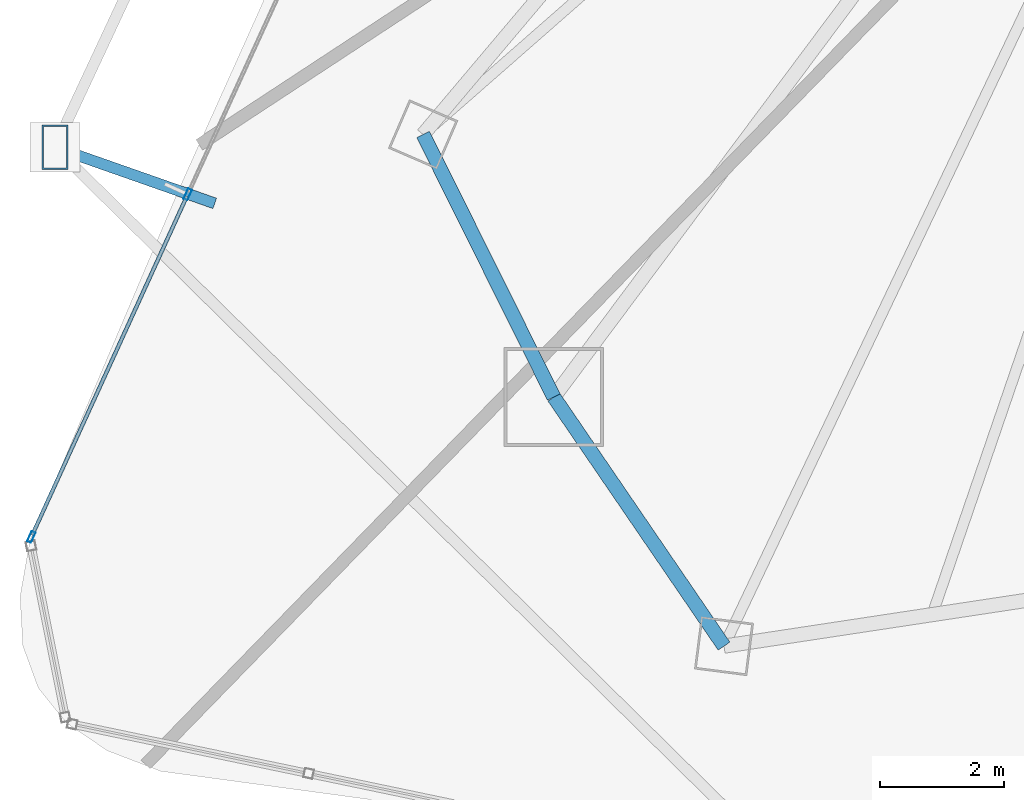
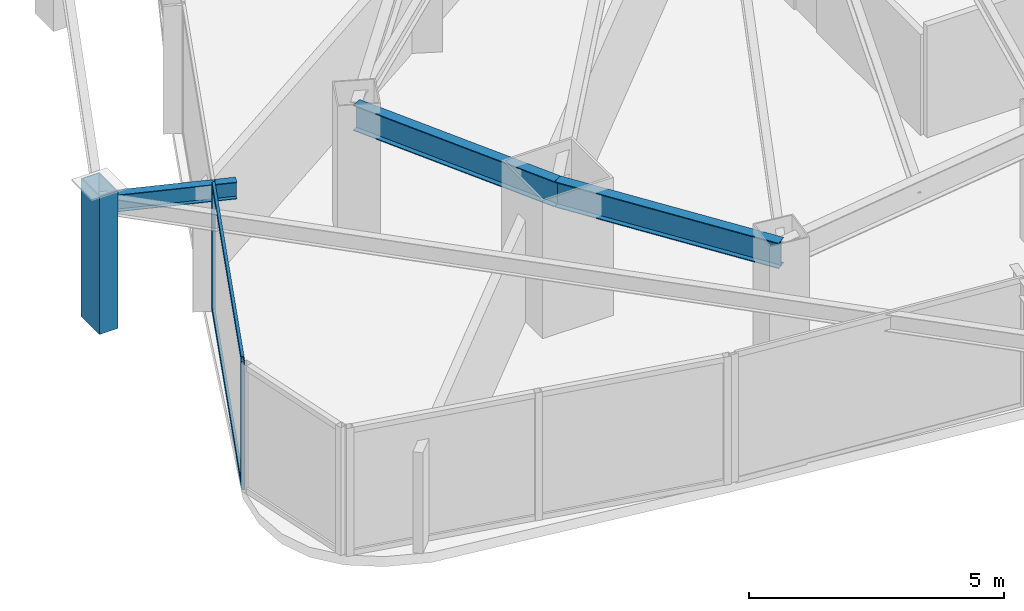
# One storey, part 5 of 33: 5 members, 3 beams, 1 element without a shape of its own.
"""IFC4 building model written with IfcOpenShell, lengths in metres."""

from ifc_helpers import new_model, si_unit, direction, frame, origin, origin_2d, place, context, subcontext, project, spatial, hollow_rectangle, i_section, extrude, material, layer, layer_set, material_profile, profile_set, type_object, element, aggregate, save


model = new_model("IFC4")

# Units and contexts
model_context = context("Model", 3, precision=1e-05, world=origin(), true_north=direction((0.0, 1.0)))
body_context = subcontext(model_context, "Body", "Model", "MODEL_VIEW")
ifc_project = project(units=[si_unit("LENGTHUNIT", "METRE"), si_unit("AREAUNIT", "SQUARE_METRE"), si_unit("VOLUMEUNIT", "CUBIC_METRE"), si_unit("PLANEANGLEUNIT", "RADIAN"), si_unit("MASSUNIT", "GRAM", prefix="KILO")], contexts=[model_context])

# Site, building, storey
site_placement = place(None, origin())
site = spatial("IfcSite", under=ifc_project, at=site_placement, CompositionType="ELEMENT")
building_placement = place(site_placement, origin())
building = spatial("IfcBuilding", under=site, at=building_placement, Name="Orvanel Arch Residences", CompositionType="ELEMENT")
storey_placement = place(building_placement, frame((0.0, 0.0, 87.35009765625)))
storey = spatial("IfcBuildingStorey", under=building, at=storey_placement, Name="L24", CompositionType="ELEMENT", Elevation=87.35009765625)

# Member
ifc_material_1 = material(Name="Structural steel AS/NZS 3678 Grade 350", Category="steel")
ifc_material_profile_1 = material_profile(ifc_material_1, hollow_rectangle(XDim=0.419921875, YDim=0.719970703125, WallThickness=0.02490234375, at=origin_2d()), Name="RHS720x420x25")
ifc_profile_set_1 = profile_set([ifc_material_profile_1], Name="Structural steel AS/NZS 3678 Grade 350")
member_type_1 = type_object("IfcMemberType", Name="CH-720RHS-EXT", PredefinedType="CHORD", material=ifc_profile_set_1)
member_1_placement = place(storey_placement, frame((6.1650390625, 14.3720703125, 0.0), z_axis=(0.0, 0.0, 1.0), x_axis=(1.0, 0.0, 0.0)))
element("IfcMember", 1, at=member_1_placement, inside=storey, type_object=member_type_1, Name="L24 Outer Perimeter Frame Post 04", PredefinedType="CHORD", context=body_context, shape_type="SweptSolid", body=[
    extrude(hollow_rectangle(XDim=0.419921875, YDim=0.719970703125, WallThickness=0.02490234375, at=origin_2d()), origin(), (0.0, 0.0, 1.0), 3.2998046875),
])

# Curtain wall, members
ifc_material_2 = material(Name="Bronze-anodised aluminium AA6063-T6", Category="aluminium")
ifc_layer = layer(ifc_material_2, 0.179931640625)
ifc_layer_set = layer_set([ifc_layer], Name="Bronze-anodised aluminium AA6063-T6")
curtain_wall_type = type_object("IfcCurtainWallType", Name="CW2-LOW-SYS", PredefinedType="NOTDEFINED", material=ifc_layer_set)
curtain_wall_placement = place(storey_placement, origin())
curtain_wall = element("IfcCurtainWall", 2, at=curtain_wall_placement, inside=storey, type_object=curtain_wall_type, Name="L24 CW2-LOW-SYS Unitised Curtain Wall", PredefinedType="NOTDEFINED")
ifc_material_profile_2 = material_profile(ifc_material_2, hollow_rectangle(XDim=0.070068359375, YDim=0.179931640625, WallThickness=0.00439453125, at=origin_2d()), Name="ALU180x70x4.5")
ifc_profile_set_2 = profile_set([ifc_material_profile_2], Name="Bronze-anodised aluminium AA6063-T6")
member_type_2 = type_object("IfcMemberType", Name="MUL-180x70", PredefinedType="MULLION", material=ifc_profile_set_2)
member_2_placement = place(storey_placement, frame((8.3037109375, 13.615234375, 0.0), z_axis=(0.0, 0.0, 1.0), x_axis=(0.90969922077, -0.415267778343, 0.0)))
member_2 = element("IfcMember", 3, at=member_2_placement, type_object=member_type_2, Name="CW-S2 mullion 3", PredefinedType="MULLION", context=body_context, shape_type="SweptSolid", body=[
    extrude(hollow_rectangle(XDim=0.070068359375, YDim=0.179931640625, WallThickness=0.00439453125, at=origin_2d()), origin(), (0.0, 0.0, 1.0), 3.059814453125),
])
member_3_placement = place(storey_placement, frame((5.784423828125, 8.096923828125, 0.0), z_axis=(0.0, 0.0, 1.0), x_axis=(0.90969922077, -0.415267778343, 0.0)))
member_3 = element("IfcMember", 4, at=member_3_placement, type_object=member_type_2, Name="CW-S2 mullion 4", PredefinedType="MULLION", context=body_context, shape_type="SweptSolid", body=[
    extrude(hollow_rectangle(XDim=0.070068359375, YDim=0.179931640625, WallThickness=0.00439453125, at=origin_2d()), origin(), (0.0, 0.0, 1.0), 3.059814453125),
])

# Beams
ifc_material_3 = material(Name="Structural steel AS/NZS 3679.1 Grade 300 (300 MPa)", Category="steel")
ifc_material_profile_3 = material_profile(ifc_material_3, i_section(OverallWidth=0.177978515625, OverallDepth=0.406005859375, WebThickness=0.0078125, FlangeThickness=0.0126953125, at=origin_2d()), Name="410UB59.7")
ifc_profile_set_3 = profile_set([ifc_material_profile_3], Name="Structural steel AS/NZS 3679.1 Grade 300 (300 MPa)")
beam_type_1 = type_object("IfcBeamType", Name="OB-410UB-EXT", PredefinedType="SPANDREL", material=ifc_profile_set_3)
beam_1_placement = place(storey_placement, frame((8.739013671875, 13.469970703125, 2.85693359375), z_axis=(-0.943720119052, 0.330745123769, 0.0), x_axis=(-0.330745123769, -0.943720119052, 0.0)))
element("IfcBeam", 5, at=beam_1_placement, inside=storey, type_object=beam_type_1, Name="L24 Outer Frame Radial Tie Beam 04", PredefinedType="SPANDREL", context=body_context, shape_type="SweptSolid", body=[
    extrude(i_section(OverallWidth=0.177978515625, OverallDepth=0.406005859375, WebThickness=0.0078125, FlangeThickness=0.0126953125, at=origin_2d()), origin(), (0.0, 0.0, 1.0), 2.7275390625),
])
ifc_material_profile_4 = material_profile(ifc_material_3, i_section(OverallWidth=0.22900390625, OverallDepth=0.612060546875, WebThickness=0.011962890625, FlangeThickness=0.01953125, at=origin_2d()), Name="610UB125")
ifc_profile_set_4 = profile_set([ifc_material_profile_4], Name="Structural steel AS/NZS 3679.1 Grade 300 (300 MPa)")
beam_type_2 = type_object("IfcBeamType", Name="SP-610UB", PredefinedType="SPANDREL", material=ifc_profile_set_4)
beam_2_placement = place(storey_placement, frame((12.094970703125, 14.580078125, 2.75390625), z_axis=(0.44543469453, -0.895314432425, 0.0), x_axis=(0.895314432425, 0.44543469453, 0.0)))
element("IfcBeam", 6, at=beam_2_placement, inside=storey, type_object=beam_type_2, Name="L24 Perimeter Spandrel Beam 02", PredefinedType="SPANDREL", context=body_context, shape_type="SweptSolid", body=[
    extrude(i_section(OverallWidth=0.22900390625, OverallDepth=0.612060546875, WebThickness=0.011962890625, FlangeThickness=0.01953125, at=origin_2d()), origin(), (0.0, 0.0, 1.0), 4.723388671875),
])
beam_3_placement = place(storey_placement, frame((14.198974609375, 10.35107421875, 2.75390625), z_axis=(0.564251579852, -0.825602903722, 0.0), x_axis=(0.825602903722, 0.564251579852, 0.0)))
element("IfcBeam", 7, at=beam_3_placement, inside=storey, type_object=beam_type_2, Name="L24 Perimeter Spandrel Beam 03", PredefinedType="SPANDREL", context=body_context, shape_type="SweptSolid", body=[
    extrude(i_section(OverallWidth=0.22900390625, OverallDepth=0.612060546875, WebThickness=0.011962890625, FlangeThickness=0.01953125, at=origin_2d()), origin(), (0.0, 0.0, 1.0), 4.859375),
])

# Member
ifc_material_profile_5 = material_profile(ifc_material_2, hollow_rectangle(XDim=0.06005859375, YDim=0.135009765625, WallThickness=0.00390625, at=origin_2d()), Name="ALU135x60x4")
ifc_profile_set_5 = profile_set([ifc_material_profile_5], Name="Bronze-anodised aluminium AA6063-T6")
member_type_3 = type_object("IfcMemberType", Name="TRN-135x60", PredefinedType="USERDEFINED", material=ifc_profile_set_5)
member_4_placement = place(storey_placement, frame((8.2890625, 13.58349609375, 0.02978515625), z_axis=(-0.415256458562, -0.909704388042, 0.0), x_axis=(0.909704388042, -0.415256458562, 0.0)))
member_4 = element("IfcMember", 8, at=member_4_placement, type_object=member_type_3, Name="CW-S2 transom 3.1", ObjectType="TRANSOM", PredefinedType="USERDEFINED", context=body_context, shape_type="SweptSolid", body=[
    extrude(hollow_rectangle(XDim=0.06005859375, YDim=0.135009765625, WallThickness=0.00390625, at=origin_2d()), origin(), (0.0, 0.0, 1.0), 5.996337890625),
])

member_5_placement = place(storey_placement, frame((8.2890625, 13.58349609375, 3.02978515625), z_axis=(-0.415256458562, -0.909704388042, 0.0), x_axis=(0.909704388042, -0.415256458562, 0.0)))
member_5 = element("IfcMember", 9, at=member_5_placement, type_object=member_type_3, Name="CW-S2 transom 3.2", ObjectType="TRANSOM", PredefinedType="USERDEFINED", context=body_context, shape_type="SweptSolid", body=[
    extrude(hollow_rectangle(XDim=0.06005859375, YDim=0.135009765625, WallThickness=0.00390625, at=origin_2d()), origin(), (0.0, 0.0, 1.0), 5.996337890625),
])

aggregate(curtain_wall, [member_2, member_3, member_4, member_5])

save(model, "model.ifc")
